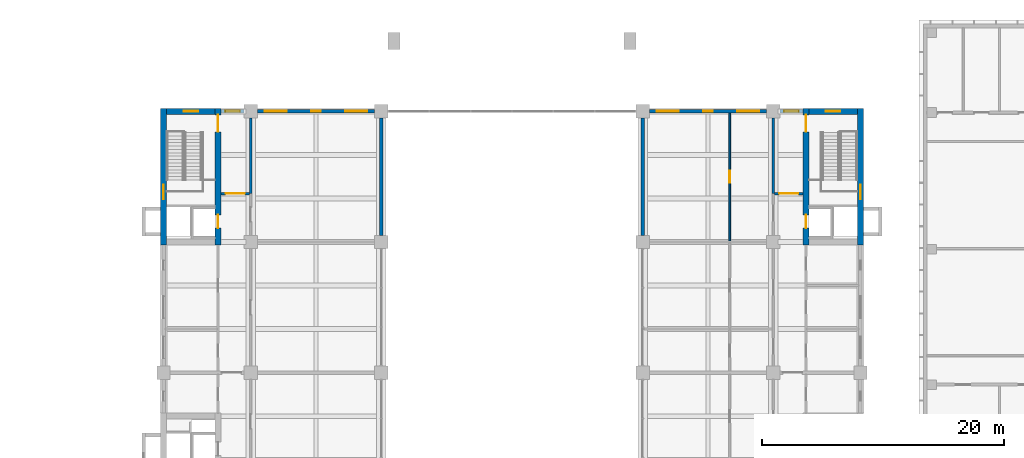
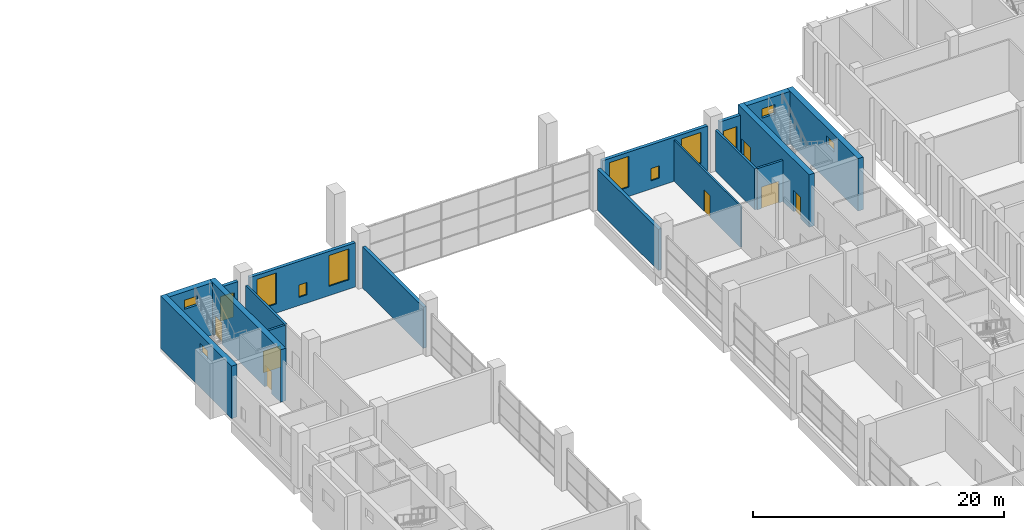
# One storey, part 25 of 33: 17 walls, 12 windows, 7 doors, 19 openings.
"""IFC4 building model written with IfcOpenShell, lengths in metres."""

from ifc_helpers import new_model, si_unit, direction, frame, frame_2d, origin, place, context, subcontext, project, spatial, rectangle, extrude, material, layer, layer_set, type_object, element, fill, save


model = new_model("IFC4")

# Units and contexts
model_context = context("Model", 3, precision=1e-05, world=origin(), true_north=direction((0.0, 1.0)))
body_context = subcontext(model_context, "Body", "Model", "MODEL_VIEW")
ifc_project = project(units=[si_unit("LENGTHUNIT", "METRE"), si_unit("AREAUNIT", "SQUARE_METRE"), si_unit("VOLUMEUNIT", "CUBIC_METRE"), si_unit("PLANEANGLEUNIT", "RADIAN"), si_unit("MASSUNIT", "GRAM", prefix="KILO")], contexts=[model_context])

# Site, building, storey
site_placement = place(None, origin())
site = spatial("IfcSite", under=ifc_project, at=site_placement, CompositionType="ELEMENT")
building_placement = place(site_placement, origin())
building = spatial("IfcBuilding", under=site, at=building_placement, Name="Basin Gate Institute", CompositionType="ELEMENT")
storey_placement = place(building_placement, frame((0.0, 0.0, 6.0)))
storey = spatial("IfcBuildingStorey", under=building, at=storey_placement, Name="L01", CompositionType="ELEMENT", Elevation=6.0)

# Walls
ifc_material_1 = material(Name="Fire-resisting board wall assembly")
ifc_layer_1 = layer(ifc_material_1, 0.300048828125)
ifc_layer_set_1 = layer_set([ifc_layer_1], Name="Atrium enclosure wall EW4")
wall_type_1 = type_object("IfcWallType", Name="Atrium enclosure wall EW4", PredefinedType="STANDARD", material=ifc_layer_set_1)
for number, where, z_axis, x_axis, name in (
    (1, (79.199951171875, 89.64990234375, 0.0), (0.0, 0.0, 1.0), (0.0, 1.0, 0.0), "Atrium enclosure wall W wing bay 6 L01"),
    (2, (100.800048828125, 89.64990234375, 0.0), (0.0, 0.0, 1.0), (0.0, 1.0, 0.0), "Atrium enclosure wall E wing bay 6 L01"),
):
    element("IfcWall", number, at=place(storey_placement, frame(where, z_axis=z_axis, x_axis=x_axis)), inside=storey, type_object=wall_type_1, material=ifc_layer_set_1, Name=name, PredefinedType="STANDARD", context=body_context, shape_type="SweptSolid", body=[
        extrude(rectangle(XDim=9.7001953125, YDim=0.300048828125, at=frame_2d((4.85009765625, 0.0))), origin(), (0.0, 0.0, 1.0), 4.0),
    ])

# Wall, opening, door
ifc_material_2 = material(Name="Fire-rated masonry", Category="masonry")
ifc_layer_2 = layer(ifc_material_2, 0.199951171875)
ifc_layer_set_2 = layer_set([ifc_layer_2], Name="Enclosure wall PW2 200 EI 60")
wall_type_2 = type_object("IfcWallType", Name="Enclosure wall PW2 200 EI 60", PredefinedType="PARTITIONING", material=ifc_layer_set_2)
wall_1_placement = place(storey_placement, frame((65.949951171875, 93.10009765625, 0.0), z_axis=(0.0, 0.0, 1.0), x_axis=(1.0, 0.0, 0.0)))
wall_1 = element("IfcWall", 3, at=wall_1_placement, inside=storey, type_object=wall_type_2, material=ifc_layer_set_2, Name="Smoke lobby enclosure wall PW2 L01", PredefinedType="PARTITIONING", context=body_context, shape_type="SweptSolid", body=[
    extrude(rectangle(XDim=2.35009765625, YDim=0.199951171875, at=frame_2d((1.175048828125, 0.0))), origin(), (0.0, 0.0, 1.0), 4.0),
])
opening_1_placement = place(wall_1_placement, frame((0.375, 0.0, 0.0)))
opening_1 = element("IfcOpeningElement", 4, at=opening_1_placement, cuts=wall_1, Name="Opening DR089", PredefinedType="OPENING", context=body_context, shape_type="SweptSolid", body=[
    extrude(rectangle(XDim=1.60009765625, YDim=2.10009765625, at=frame_2d((0.800048828125, 1.050048828125))), frame((0.0, 0.10986328125, 0.0), z_axis=(0.0, -1.0, 0.0), x_axis=(1.0, 0.0, 0.0)), (0.0, 0.0, 1.0), 0.219970703125),
])
ifc_material_3 = material(Name="Steel fire door", Category="steel")
door_type_1 = type_object("IfcDoorType", Name="FD60 Smoke lobby door pair D8", OperationType="DOUBLE_DOOR_SINGLE_SWING", PredefinedType="DOOR", material=ifc_material_3)
door_1_placement = place(opening_1_placement, origin())
door_1 = element("IfcDoor", 5, at=door_1_placement, inside=storey, type_object=door_type_1, material=ifc_material_3, Name="Smoke lobby door SS3 L01", OperationType="DOUBLE_DOOR_SINGLE_SWING", OverallHeight=2.10009765625, OverallWidth=1.60009765625, PredefinedType="DOOR", context=body_context, shape_type="SweptSolid", body=[
    extrude(rectangle(XDim=1.60009765625, YDim=2.10009765625, at=frame_2d((0.800048828125, 1.050048828125))), frame((0.0, 0.02490234375, 0.0), z_axis=(0.0, -1.0, 0.0), x_axis=(1.0, 0.0, 0.0)), (0.0, 0.0, 1.0), 0.050048828125),
])
fill(opening_1, door_1)

# Wall
wall_2_placement = place(storey_placement, frame((68.39990234375, 93.10009765625, 0.0), z_axis=(0.0, 0.0, 1.0), x_axis=(0.0, 1.0, 0.0)))
element("IfcWall", 6, at=wall_2_placement, inside=storey, type_object=wall_type_2, material=ifc_layer_set_2, Name="Smoke lobby enclosure wall PW2 L01", PredefinedType="PARTITIONING", context=body_context, shape_type="SweptSolid", body=[
    extrude(rectangle(XDim=6.25, YDim=0.199951171875, at=frame_2d((3.125, 0.0))), origin(), (0.0, 0.0, 1.0), 4.0),
])

# Wall, opening, door
wall_3_placement = place(storey_placement, frame((114.050048828125, 93.10009765625, 0.0), z_axis=(0.0, 0.0, 1.0), x_axis=(-1.0, 0.0, 0.0)))
wall_3 = element("IfcWall", 7, at=wall_3_placement, inside=storey, type_object=wall_type_2, material=ifc_layer_set_2, Name="Smoke lobby enclosure wall PW2 L01", PredefinedType="PARTITIONING", context=body_context, shape_type="SweptSolid", body=[
    extrude(rectangle(XDim=2.35009765625, YDim=0.199951171875, at=frame_2d((1.175048828125, 0.0))), origin(), (0.0, 0.0, 1.0), 4.0),
])
opening_2_placement = place(wall_3_placement, frame((0.375, 0.0, 0.0)))
opening_2 = element("IfcOpeningElement", 8, at=opening_2_placement, cuts=wall_3, Name="Opening DR070", PredefinedType="OPENING", context=body_context, shape_type="SweptSolid", body=[
    extrude(rectangle(XDim=1.60009765625, YDim=2.10009765625, at=frame_2d((0.800048828125, 1.050048828125))), frame((0.0, 0.10986328125, 0.0), z_axis=(0.0, -1.0, 0.0), x_axis=(1.0, 0.0, 0.0)), (0.0, 0.0, 1.0), 0.219970703125),
])
door_2_placement = place(opening_2_placement, frame((1.60009765625, 0.0, 0.0), z_axis=(0.0, 0.0, 1.0), x_axis=(-1.0, 0.0, 0.0)))
door_2 = element("IfcDoor", 9, at=door_2_placement, inside=storey, type_object=door_type_1, material=ifc_material_3, Name="Smoke lobby door SS6 L01", OperationType="DOUBLE_DOOR_SINGLE_SWING", OverallHeight=2.10009765625, OverallWidth=1.60009765625, PredefinedType="DOOR", context=body_context, shape_type="SweptSolid", body=[
    extrude(rectangle(XDim=1.60009765625, YDim=2.10009765625, at=frame_2d((0.800048828125, 1.050048828125))), frame((0.0, 0.02490234375, 0.0), z_axis=(0.0, -1.0, 0.0), x_axis=(1.0, 0.0, 0.0)), (0.0, 0.0, 1.0), 0.050048828125),
])
fill(opening_2, door_2)

# Wall
wall_4_placement = place(storey_placement, frame((111.60009765625, 93.10009765625, 0.0), z_axis=(0.0, 0.0, 1.0), x_axis=(0.0, 1.0, 0.0)))
element("IfcWall", 10, at=wall_4_placement, inside=storey, type_object=wall_type_2, material=ifc_layer_set_2, Name="Smoke lobby enclosure wall PW2 L01", PredefinedType="PARTITIONING", context=body_context, shape_type="SweptSolid", body=[
    extrude(rectangle(XDim=6.25, YDim=0.199951171875, at=frame_2d((3.125, 0.0))), origin(), (0.0, 0.0, 1.0), 4.0),
])

# Wall, opening, window
ifc_material_4 = material(Name="Aluminium-faced insulated panel wall", Category="aluminium")
ifc_layer_3 = layer(ifc_material_4, 0.300048828125)
ifc_layer_set_3 = layer_set([ifc_layer_3], Name="External wall EW1 EI 120")
wall_type_3 = type_object("IfcWallType", Name="External wall EW1 EI 120", PredefinedType="STANDARD", material=ifc_layer_set_3)
wall_5_placement = place(storey_placement, frame((65.949951171875, 99.89990234375, 0.0), z_axis=(0.0, 0.0, 1.0), x_axis=(1.0, 0.0, 0.0)))
wall_5 = element("IfcWall", 11, at=wall_5_placement, inside=storey, type_object=wall_type_3, material=ifc_layer_set_3, Name="External end wall W wing north L01 1", PredefinedType="STANDARD", context=body_context, shape_type="SweptSolid", body=[
    extrude(rectangle(XDim=1.900146484375, YDim=0.300048828125, at=frame_2d((0.9501953125, 0.0))), origin(), (0.0, 0.0, 1.0), 4.300048828125),
])
opening_3_placement = place(wall_5_placement, frame((0.35009765625, 0.0, 0.89990234375)))
opening_3 = element("IfcOpeningElement", 12, at=opening_3_placement, cuts=wall_5, Name="Opening WN4", PredefinedType="OPENING", context=body_context, shape_type="SweptSolid", body=[
    extrude(rectangle(XDim=1.199951171875, YDim=2.39990234375, at=frame_2d((0.60009765625, 1.199951171875))), frame((0.0, 0.16015625, 0.0), z_axis=(0.0, -1.0, 0.0), x_axis=(1.0, 0.0, 0.0)), (0.0, 0.0, 1.0), 0.320068359375),
])
ifc_material_5 = material(Name="Aluminium-framed double glazing", Category="aluminium")
window_type_1 = type_object("IfcWindowType", Name="Corridor end window WN4", PartitioningType="SINGLE_PANEL", PredefinedType="WINDOW", material=ifc_material_5)
window_1_placement = place(opening_3_placement, origin())
window_1 = element("IfcWindow", 13, at=window_1_placement, inside=storey, type_object=window_type_1, material=ifc_material_5, Name="Corridor end window W wing N L01", OverallHeight=2.39990234375, OverallWidth=1.199951171875, PartitioningType="SINGLE_PANEL", PredefinedType="WINDOW", context=body_context, shape_type="SweptSolid", body=[
    extrude(rectangle(XDim=1.199951171875, YDim=2.39990234375, at=frame_2d((0.60009765625, 1.199951171875))), frame((0.0, 0.030029296875, 0.0), z_axis=(0.0, -1.0, 0.0), x_axis=(1.0, 0.0, 0.0)), (0.0, 0.0, 1.0), 0.06005859375),
])
fill(opening_3, window_1)

# Wall, openings, windows
wall_6_placement = place(storey_placement, frame((68.949951171875, 99.89990234375, 0.0), z_axis=(0.0, 0.0, 1.0), x_axis=(1.0, 0.0, 0.0)))
wall_6 = element("IfcWall", 14, at=wall_6_placement, inside=storey, type_object=wall_type_3, material=ifc_layer_set_3, Name="External end wall W wing north L01 2", PredefinedType="STANDARD", context=body_context, shape_type="SweptSolid", body=[
    extrude(rectangle(XDim=9.699951171875, YDim=0.300048828125, at=frame_2d((4.85009765625, 0.0))), origin(), (0.0, 0.0, 1.0), 4.300048828125),
])
opening_4_placement = place(wall_6_placement, frame((0.625, 0.0, 0.89990234375)))
opening_4 = element("IfcOpeningElement", 15, at=opening_4_placement, cuts=wall_6, Name="Opening WN2", PredefinedType="OPENING", context=body_context, shape_type="SweptSolid", body=[
    extrude(rectangle(XDim=1.800048828125, YDim=3.0, at=frame_2d((0.89990234375, 1.5))), frame((0.0, 0.16015625, 0.0), z_axis=(0.0, -1.0, 0.0), x_axis=(1.0, 0.0, 0.0)), (0.0, 0.0, 1.0), 0.320068359375),
])
opening_5_placement = place(wall_6_placement, frame((4.47509765625, 0.0, 0.800048828125)))
opening_5 = element("IfcOpeningElement", 16, at=opening_5_placement, cuts=wall_6, Name="Opening WN3", PredefinedType="OPENING", context=body_context, shape_type="SweptSolid", body=[
    extrude(rectangle(XDim=0.75, YDim=1.199951171875, at=frame_2d((0.375, 0.60009765625))), frame((0.0, 0.16015625, 0.0), z_axis=(0.0, -1.0, 0.0), x_axis=(1.0, 0.0, 0.0)), (0.0, 0.0, 1.0), 0.320068359375),
])
opening_6_placement = place(wall_6_placement, frame((7.27490234375, 0.0, 0.89990234375)))
opening_6 = element("IfcOpeningElement", 17, at=opening_6_placement, cuts=wall_6, Name="Opening WN2", PredefinedType="OPENING", context=body_context, shape_type="SweptSolid", body=[
    extrude(rectangle(XDim=1.800048828125, YDim=3.0, at=frame_2d((0.89990234375, 1.5))), frame((0.0, 0.16015625, 0.0), z_axis=(0.0, -1.0, 0.0), x_axis=(1.0, 0.0, 0.0)), (0.0, 0.0, 1.0), 0.320068359375),
])
ifc_material_6 = material(Name="Aluminium-framed double glazing", Category="aluminium")
window_type_2 = type_object("IfcWindowType", Name="Emergency entry panel WN3", PartitioningType="SINGLE_PANEL", PredefinedType="WINDOW", material=ifc_material_6)
window_2_placement = place(opening_5_placement, origin())
window_2 = element("IfcWindow", 18, at=window_2_placement, inside=storey, type_object=window_type_2, material=ifc_material_6, Name="Emergency entry panel W wing end N L01 bay 2", OverallHeight=1.199951171875, OverallWidth=0.75, PartitioningType="SINGLE_PANEL", PredefinedType="WINDOW", context=body_context, shape_type="SweptSolid", body=[
    extrude(rectangle(XDim=0.75, YDim=1.199951171875, at=frame_2d((0.375, 0.60009765625))), frame((0.0, 0.030029296875, 0.0), z_axis=(0.0, -1.0, 0.0), x_axis=(1.0, 0.0, 0.0)), (0.0, 0.0, 1.0), 0.06005859375),
])
fill(opening_5, window_2)
ifc_material_7 = material(Name="Aluminium-framed double glazing", Category="aluminium")
window_type_3 = type_object("IfcWindowType", Name="Podium window WN2", PartitioningType="SINGLE_PANEL", PredefinedType="WINDOW", material=ifc_material_7)
window_3_placement = place(opening_4_placement, origin())
window_3 = element("IfcWindow", 19, at=window_3_placement, inside=storey, type_object=window_type_3, material=ifc_material_7, Name="Podium window W wing end N L01 bay 1", OverallHeight=3.0, OverallWidth=1.800048828125, PartitioningType="SINGLE_PANEL", PredefinedType="WINDOW", context=body_context, shape_type="SweptSolid", body=[
    extrude(rectangle(XDim=1.800048828125, YDim=3.0, at=frame_2d((0.89990234375, 1.5))), frame((0.0, 0.030029296875, 0.0), z_axis=(0.0, -1.0, 0.0), x_axis=(1.0, 0.0, 0.0)), (0.0, 0.0, 1.0), 0.06005859375),
])
fill(opening_4, window_3)
window_4_placement = place(opening_6_placement, origin())
window_4 = element("IfcWindow", 20, at=window_4_placement, inside=storey, type_object=window_type_3, material=ifc_material_7, Name="Podium window W wing end N L01 bay 3", OverallHeight=3.0, OverallWidth=1.800048828125, PartitioningType="SINGLE_PANEL", PredefinedType="WINDOW", context=body_context, shape_type="SweptSolid", body=[
    extrude(rectangle(XDim=1.800048828125, YDim=3.0, at=frame_2d((0.89990234375, 1.5))), frame((0.0, 0.030029296875, 0.0), z_axis=(0.0, -1.0, 0.0), x_axis=(1.0, 0.0, 0.0)), (0.0, 0.0, 1.0), 0.06005859375),
])
fill(opening_6, window_4)

# Wall, opening, window
wall_7_placement = place(storey_placement, frame((114.050048828125, 99.89990234375, 0.0), z_axis=(0.0, 0.0, 1.0), x_axis=(-1.0, 0.0, 0.0)))
wall_7 = element("IfcWall", 21, at=wall_7_placement, inside=storey, type_object=wall_type_3, material=ifc_layer_set_3, Name="External end wall E wing north L01 1", PredefinedType="STANDARD", context=body_context, shape_type="SweptSolid", body=[
    extrude(rectangle(XDim=1.900146484375, YDim=0.300048828125, at=frame_2d((0.9501953125, 0.0))), origin(), (0.0, 0.0, 1.0), 4.300048828125),
])
opening_7_placement = place(wall_7_placement, frame((0.35009765625, 0.0, 0.89990234375)))
opening_7 = element("IfcOpeningElement", 22, at=opening_7_placement, cuts=wall_7, Name="Opening WN4", PredefinedType="OPENING", context=body_context, shape_type="SweptSolid", body=[
    extrude(rectangle(XDim=1.199951171875, YDim=2.39990234375, at=frame_2d((0.60009765625, 1.199951171875))), frame((0.0, 0.16015625, 0.0), z_axis=(0.0, -1.0, 0.0), x_axis=(1.0, 0.0, 0.0)), (0.0, 0.0, 1.0), 0.320068359375),
])
window_5_placement = place(opening_7_placement, origin())
window_5 = element("IfcWindow", 23, at=window_5_placement, inside=storey, type_object=window_type_1, material=ifc_material_5, Name="Corridor end window E wing N L01", OverallHeight=2.39990234375, OverallWidth=1.199951171875, PartitioningType="SINGLE_PANEL", PredefinedType="WINDOW", context=body_context, shape_type="SweptSolid", body=[
    extrude(rectangle(XDim=1.199951171875, YDim=2.39990234375, at=frame_2d((0.60009765625, 1.199951171875))), frame((0.0, 0.030029296875, 0.0), z_axis=(0.0, -1.0, 0.0), x_axis=(1.0, 0.0, 0.0)), (0.0, 0.0, 1.0), 0.06005859375),
])
fill(opening_7, window_5)

# Wall, openings, windows
wall_8_placement = place(storey_placement, frame((111.050048828125, 99.89990234375, 0.0), z_axis=(0.0, 0.0, 1.0), x_axis=(-1.0, 0.0, 0.0)))
wall_8 = element("IfcWall", 24, at=wall_8_placement, inside=storey, type_object=wall_type_3, material=ifc_layer_set_3, Name="External end wall E wing north L01 2", PredefinedType="STANDARD", context=body_context, shape_type="SweptSolid", body=[
    extrude(rectangle(XDim=9.699951171875, YDim=0.300048828125, at=frame_2d((4.85009765625, 0.0))), origin(), (0.0, 0.0, 1.0), 4.300048828125),
])
opening_8_placement = place(wall_8_placement, frame((0.625, 0.0, 0.89990234375)))
opening_8 = element("IfcOpeningElement", 25, at=opening_8_placement, cuts=wall_8, Name="Opening WN2", PredefinedType="OPENING", context=body_context, shape_type="SweptSolid", body=[
    extrude(rectangle(XDim=1.800048828125, YDim=3.0, at=frame_2d((0.89990234375, 1.5))), frame((0.0, 0.16015625, 0.0), z_axis=(0.0, -1.0, 0.0), x_axis=(1.0, 0.0, 0.0)), (0.0, 0.0, 1.0), 0.320068359375),
])
opening_9_placement = place(wall_8_placement, frame((4.47509765625, 0.0, 0.800048828125)))
opening_9 = element("IfcOpeningElement", 26, at=opening_9_placement, cuts=wall_8, Name="Opening WN3", PredefinedType="OPENING", context=body_context, shape_type="SweptSolid", body=[
    extrude(rectangle(XDim=0.75, YDim=1.199951171875, at=frame_2d((0.375, 0.60009765625))), frame((0.0, 0.16015625, 0.0), z_axis=(0.0, -1.0, 0.0), x_axis=(1.0, 0.0, 0.0)), (0.0, 0.0, 1.0), 0.320068359375),
])
opening_10_placement = place(wall_8_placement, frame((7.27490234375, 0.0, 0.89990234375)))
opening_10 = element("IfcOpeningElement", 27, at=opening_10_placement, cuts=wall_8, Name="Opening WN2", PredefinedType="OPENING", context=body_context, shape_type="SweptSolid", body=[
    extrude(rectangle(XDim=1.800048828125, YDim=3.0, at=frame_2d((0.89990234375, 1.5))), frame((0.0, 0.16015625, 0.0), z_axis=(0.0, -1.0, 0.0), x_axis=(1.0, 0.0, 0.0)), (0.0, 0.0, 1.0), 0.320068359375),
])
window_6_placement = place(opening_9_placement, origin())
window_6 = element("IfcWindow", 28, at=window_6_placement, inside=storey, type_object=window_type_2, material=ifc_material_6, Name="Emergency entry panel E wing end N L01 bay 2", OverallHeight=1.199951171875, OverallWidth=0.75, PartitioningType="SINGLE_PANEL", PredefinedType="WINDOW", context=body_context, shape_type="SweptSolid", body=[
    extrude(rectangle(XDim=0.75, YDim=1.199951171875, at=frame_2d((0.375, 0.60009765625))), frame((0.0, 0.030029296875, 0.0), z_axis=(0.0, -1.0, 0.0), x_axis=(1.0, 0.0, 0.0)), (0.0, 0.0, 1.0), 0.06005859375),
])
fill(opening_9, window_6)
window_7_placement = place(opening_8_placement, origin())
window_7 = element("IfcWindow", 29, at=window_7_placement, inside=storey, type_object=window_type_3, material=ifc_material_7, Name="Podium window E wing end N L01 bay 1", OverallHeight=3.0, OverallWidth=1.800048828125, PartitioningType="SINGLE_PANEL", PredefinedType="WINDOW", context=body_context, shape_type="SweptSolid", body=[
    extrude(rectangle(XDim=1.800048828125, YDim=3.0, at=frame_2d((0.89990234375, 1.5))), frame((0.0, 0.030029296875, 0.0), z_axis=(0.0, -1.0, 0.0), x_axis=(1.0, 0.0, 0.0)), (0.0, 0.0, 1.0), 0.06005859375),
])
fill(opening_8, window_7)
window_8_placement = place(opening_10_placement, origin())
window_8 = element("IfcWindow", 30, at=window_8_placement, inside=storey, type_object=window_type_3, material=ifc_material_7, Name="Podium window E wing end N L01 bay 3", OverallHeight=3.0, OverallWidth=1.800048828125, PartitioningType="SINGLE_PANEL", PredefinedType="WINDOW", context=body_context, shape_type="SweptSolid", body=[
    extrude(rectangle(XDim=1.800048828125, YDim=3.0, at=frame_2d((0.89990234375, 1.5))), frame((0.0, 0.030029296875, 0.0), z_axis=(0.0, -1.0, 0.0), x_axis=(1.0, 0.0, 0.0)), (0.0, 0.0, 1.0), 0.06005859375),
])
fill(opening_10, window_8)

# Wall, opening, door
ifc_material_8 = material(Name="Gypsum board on steel stud", Category="steel")
ifc_layer_4 = layer(ifc_material_8, 0.14990234375)
ifc_layer_set_4 = layer_set([ifc_layer_4], Name="Gypsum board on steel stud")
wall_type_4 = type_object("IfcWallType", Name="Partition PW1 150 EI 60", PredefinedType="PARTITIONING", material=ifc_layer_set_4)
wall_9_placement = place(storey_placement, frame((108.0, 89.175048828125, 0.0), z_axis=(0.0, 0.0, 1.0), x_axis=(0.0, 1.0, 0.0)))
wall_9 = element("IfcWall", 31, at=wall_9_placement, inside=storey, type_object=wall_type_4, material=ifc_layer_set_4, Name="Clean room wall PW1 L01", PredefinedType="PARTITIONING", context=body_context, shape_type="SweptSolid", body=[
    extrude(rectangle(XDim=10.574951171875, YDim=0.14990234375, at=frame_2d((5.28759765625, 0.0))), origin(), (0.0, 0.0, 1.0), 4.0),
])
opening_11_placement = place(wall_9_placement, frame((4.824951171875, 0.0, 0.0)))
opening_11 = element("IfcOpeningElement", 32, at=opening_11_placement, cuts=wall_9, Name="Opening DR051", PredefinedType="OPENING", context=body_context, shape_type="SweptSolid", body=[
    extrude(rectangle(XDim=1.0, YDim=2.10009765625, at=frame_2d((0.5, 1.050048828125))), frame((0.0, 0.0849609375, 0.0), z_axis=(0.0, -1.0, 0.0), x_axis=(1.0, 0.0, 0.0)), (0.0, 0.0, 1.0), 0.169921875),
])
ifc_material_9 = material(Name="Steel fire door", Category="steel")
door_type_2 = type_object("IfcDoorType", Name="FD30 Airlock door D5", OperationType="NOTDEFINED", PredefinedType="DOOR", material=ifc_material_9)
door_3_placement = place(opening_11_placement, origin())
door_3 = element("IfcDoor", 33, at=door_3_placement, inside=storey, type_object=door_type_2, material=ifc_material_9, Name="Clean room entry door Clean Room ISO 7 0178 L01", OperationType="SINGLE_SWING_LEFT", OverallHeight=2.10009765625, OverallWidth=1.0, PredefinedType="DOOR", context=body_context, shape_type="SweptSolid", body=[
    extrude(rectangle(XDim=1.0, YDim=2.10009765625, at=frame_2d((0.5, 1.050048828125))), frame((0.0, 0.02490234375, 0.0), z_axis=(0.0, -1.0, 0.0), x_axis=(1.0, 0.0, 0.0)), (0.0, 0.0, 1.0), 0.050048828125),
])
fill(opening_11, door_3)

# Wall, opening, window
ifc_material_10 = material(Name="Concrete 60 MPa", Category="concrete")
ifc_layer_5 = layer(ifc_material_10, 0.5)
ifc_layer_set_5 = layer_set([ifc_layer_5], Name="Concrete 60 MPa")
wall_type_5 = type_object("IfcWallType", Name="Wall SW1 R180", PredefinedType="SHEAR", material=ifc_layer_set_5)
wall_10_placement = place(storey_placement, frame((61.199951171875, 88.85009765625, 0.0), z_axis=(0.0, 0.0, 1.0), x_axis=(0.0, 1.0, 0.0)))
wall_10 = element("IfcWall", 34, at=wall_10_placement, inside=storey, type_object=wall_type_5, material=ifc_layer_set_5, Name="WALL/L01/WN/L", PredefinedType="SHEAR", context=body_context, shape_type="SweptSolid", body=[
    extrude(rectangle(XDim=11.2998046875, YDim=0.5, at=frame_2d((5.64990234375, 0.0))), origin(), (0.0, 0.0, 1.0), 5.10009765625),
])
opening_12_placement = place(wall_10_placement, frame((3.800048828125, 0.0, 3.39990234375)))
opening_12 = element("IfcOpeningElement", 35, at=opening_12_placement, cuts=wall_10, Name="Opening WT1", PredefinedType="OPENING", context=body_context, shape_type="SweptSolid", body=[
    extrude(rectangle(XDim=1.199951171875, YDim=0.89990234375, at=frame_2d((0.60009765625, 0.449951171875))), frame((0.0, 0.260009765625, 0.0), z_axis=(0.0, -1.0, 0.0), x_axis=(1.0, 0.0, 0.0)), (0.0, 0.0, 1.0), 0.52001953125),
])
ifc_material_11 = material(Name="Fire-resistant glazing in steel-free frame", Category="steel")
window_type_4 = type_object("IfcWindowType", Name="Rated stair window EI 180 WT1", PartitioningType="SINGLE_PANEL", PredefinedType="WINDOW", material=ifc_material_11)
window_9_placement = place(opening_12_placement, origin())
window_9 = element("IfcWindow", 36, at=window_9_placement, inside=storey, type_object=window_type_4, material=ifc_material_11, Name="Rated stair window EI 180 WN landing L01", OverallHeight=0.89990234375, OverallWidth=1.199951171875, PartitioningType="SINGLE_PANEL", PredefinedType="WINDOW", context=body_context, shape_type="SweptSolid", body=[
    extrude(rectangle(XDim=1.199951171875, YDim=0.89990234375, at=frame_2d((0.60009765625, 0.449951171875))), frame((0.0, 0.030029296875, 0.0), z_axis=(0.0, -1.0, 0.0), x_axis=(1.0, 0.0, 0.0)), (0.0, 0.0, 1.0), 0.06005859375),
])
fill(opening_12, window_9)

# Wall, openings, doors
wall_11_placement = place(storey_placement, frame((65.699951171875, 88.85009765625, 0.0), z_axis=(0.0, 0.0, 1.0), x_axis=(0.0, 1.0, 0.0)))
wall_11 = element("IfcWall", 37, at=wall_11_placement, inside=storey, type_object=wall_type_5, material=ifc_layer_set_5, Name="WALL/L01/WN/C", PredefinedType="SHEAR", context=body_context, shape_type="SweptSolid", body=[
    extrude(rectangle(XDim=11.2998046875, YDim=0.5, at=frame_2d((5.64990234375, 0.0))), origin(), (0.0, 0.0, 1.0), 5.10009765625),
])
opening_13_placement = place(wall_11_placement, frame((9.35009765625, 0.0, 0.0)))
opening_13 = element("IfcOpeningElement", 38, at=opening_13_placement, cuts=wall_11, Name="Opening DS009", PredefinedType="OPENING", context=body_context, shape_type="SweptSolid", body=[
    extrude(rectangle(XDim=1.39990234375, YDim=2.10009765625, at=frame_2d((0.699951171875, 1.050048828125))), frame((0.0, 0.260009765625, 0.0), z_axis=(0.0, -1.0, 0.0), x_axis=(1.0, 0.0, 0.0)), (0.0, 0.0, 1.0), 0.52001953125),
])
opening_14_placement = place(wall_11_placement, frame((1.39990234375, 0.0, 0.0)))
opening_14 = element("IfcOpeningElement", 39, at=opening_14_placement, cuts=wall_11, Name="Opening LD056", PredefinedType="OPENING", context=body_context, shape_type="SweptSolid", body=[
    extrude(rectangle(XDim=1.10009765625, YDim=2.10009765625, at=frame_2d((0.550048828125, 1.050048828125))), frame((0.0, 0.260009765625, 0.0), z_axis=(0.0, -1.0, 0.0), x_axis=(1.0, 0.0, 0.0)), (0.0, 0.0, 1.0), 0.52001953125),
])
ifc_material_12 = material(Name="Steel fire door", Category="steel")
door_type_3 = type_object("IfcDoorType", Name="FD30 Stair enclosure door DS", OperationType="DOUBLE_DOOR_SINGLE_SWING", PredefinedType="DOOR", material=ifc_material_12)
door_4_placement = place(opening_13_placement, origin())
door_4 = element("IfcDoor", 40, at=door_4_placement, inside=storey, type_object=door_type_3, material=ifc_material_12, Name="Stair enclosure door ST-WN L01", OperationType="DOUBLE_DOOR_SINGLE_SWING", OverallHeight=2.10009765625, OverallWidth=1.39990234375, PredefinedType="DOOR", context=body_context, shape_type="SweptSolid", body=[
    extrude(rectangle(XDim=1.39990234375, YDim=2.10009765625, at=frame_2d((0.699951171875, 1.050048828125))), frame((0.0, 0.02490234375, 0.0), z_axis=(0.0, -1.0, 0.0), x_axis=(1.0, 0.0, 0.0)), (0.0, 0.0, 1.0), 0.050048828125),
])
fill(opening_13, door_4)
ifc_material_13 = material(Name="Stainless steel", Category="steel")
door_type_4 = type_object("IfcDoorType", Name="FD60 Lift landing door LD", OperationType="SLIDING_TO_LEFT", PredefinedType="DOOR", material=ifc_material_13)
door_5_placement = place(opening_14_placement, origin())
door_5 = element("IfcDoor", 41, at=door_5_placement, inside=storey, type_object=door_type_4, material=ifc_material_13, Name="Lift landing door LP3 L01", OperationType="SLIDING_TO_LEFT", OverallHeight=2.10009765625, OverallWidth=1.10009765625, PredefinedType="DOOR", context=body_context, shape_type="SweptSolid", body=[
    extrude(rectangle(XDim=1.10009765625, YDim=2.10009765625, at=frame_2d((0.550048828125, 1.050048828125))), frame((0.0, 0.02490234375, 0.0), z_axis=(0.0, -1.0, 0.0), x_axis=(1.0, 0.0, 0.0)), (0.0, 0.0, 1.0), 0.050048828125),
])
fill(opening_14, door_5)

# Wall, opening, window
wall_12_placement = place(storey_placement, frame((61.449951171875, 99.89990234375, 0.0), z_axis=(0.0, 0.0, 1.0), x_axis=(1.0, 0.0, 0.0)))
wall_12 = element("IfcWall", 42, at=wall_12_placement, inside=storey, type_object=wall_type_5, material=ifc_layer_set_5, Name="WALL/L01/WN/N", PredefinedType="SHEAR", context=body_context, shape_type="SweptSolid", body=[
    extrude(rectangle(XDim=4.0, YDim=0.5, at=frame_2d((2.0, 0.0))), origin(), (0.0, 0.0, 1.0), 5.10009765625),
])
opening_15_placement = place(wall_12_placement, frame((1.39990234375, 0.0, 3.39990234375)))
opening_15 = element("IfcOpeningElement", 43, at=opening_15_placement, cuts=wall_12, Name="Opening WT1", PredefinedType="OPENING", context=body_context, shape_type="SweptSolid", body=[
    extrude(rectangle(XDim=1.199951171875, YDim=0.89990234375, at=frame_2d((0.60009765625, 0.449951171875))), frame((0.0, 0.260009765625, 0.0), z_axis=(0.0, -1.0, 0.0), x_axis=(1.0, 0.0, 0.0)), (0.0, 0.0, 1.0), 0.52001953125),
])
window_10_placement = place(opening_15_placement, origin())
window_10 = element("IfcWindow", 44, at=window_10_placement, inside=storey, type_object=window_type_4, material=ifc_material_11, Name="Rated stair window EI 180 WN end L01", OverallHeight=0.89990234375, OverallWidth=1.199951171875, PartitioningType="SINGLE_PANEL", PredefinedType="WINDOW", context=body_context, shape_type="SweptSolid", body=[
    extrude(rectangle(XDim=1.199951171875, YDim=0.89990234375, at=frame_2d((0.60009765625, 0.449951171875))), frame((0.0, 0.030029296875, 0.0), z_axis=(0.0, -1.0, 0.0), x_axis=(1.0, 0.0, 0.0)), (0.0, 0.0, 1.0), 0.06005859375),
])
fill(opening_15, window_10)

wall_13_placement = place(storey_placement, frame((118.800048828125, 88.85009765625, 0.0), z_axis=(0.0, 0.0, 1.0), x_axis=(0.0, 1.0, 0.0)))
wall_13 = element("IfcWall", 45, at=wall_13_placement, inside=storey, type_object=wall_type_5, material=ifc_layer_set_5, Name="WALL/L01/EN/L", PredefinedType="SHEAR", context=body_context, shape_type="SweptSolid", body=[
    extrude(rectangle(XDim=11.2998046875, YDim=0.5, at=frame_2d((5.64990234375, 0.0))), origin(), (0.0, 0.0, 1.0), 5.10009765625),
])
opening_16_placement = place(wall_13_placement, frame((3.800048828125, 0.0, 3.39990234375)))
opening_16 = element("IfcOpeningElement", 46, at=opening_16_placement, cuts=wall_13, Name="Opening WT1", PredefinedType="OPENING", context=body_context, shape_type="SweptSolid", body=[
    extrude(rectangle(XDim=1.199951171875, YDim=0.89990234375, at=frame_2d((0.60009765625, 0.449951171875))), frame((0.0, 0.260009765625, 0.0), z_axis=(0.0, -1.0, 0.0), x_axis=(1.0, 0.0, 0.0)), (0.0, 0.0, 1.0), 0.52001953125),
])
window_11_placement = place(opening_16_placement, origin())
window_11 = element("IfcWindow", 47, at=window_11_placement, inside=storey, type_object=window_type_4, material=ifc_material_11, Name="Rated stair window EI 180 EN landing L01", OverallHeight=0.89990234375, OverallWidth=1.199951171875, PartitioningType="SINGLE_PANEL", PredefinedType="WINDOW", context=body_context, shape_type="SweptSolid", body=[
    extrude(rectangle(XDim=1.199951171875, YDim=0.89990234375, at=frame_2d((0.60009765625, 0.449951171875))), frame((0.0, 0.030029296875, 0.0), z_axis=(0.0, -1.0, 0.0), x_axis=(1.0, 0.0, 0.0)), (0.0, 0.0, 1.0), 0.06005859375),
])
fill(opening_16, window_11)

# Wall, openings, doors
wall_14_placement = place(storey_placement, frame((114.300048828125, 88.85009765625, 0.0), z_axis=(0.0, 0.0, 1.0), x_axis=(0.0, 1.0, 0.0)))
wall_14 = element("IfcWall", 48, at=wall_14_placement, inside=storey, type_object=wall_type_5, material=ifc_layer_set_5, Name="WALL/L01/EN/C", PredefinedType="SHEAR", context=body_context, shape_type="SweptSolid", body=[
    extrude(rectangle(XDim=11.2998046875, YDim=0.5, at=frame_2d((5.64990234375, 0.0))), origin(), (0.0, 0.0, 1.0), 5.10009765625),
])
opening_17_placement = place(wall_14_placement, frame((9.35009765625, 0.0, 0.0)))
opening_17 = element("IfcOpeningElement", 49, at=opening_17_placement, cuts=wall_14, Name="Opening DS012", PredefinedType="OPENING", context=body_context, shape_type="SweptSolid", body=[
    extrude(rectangle(XDim=1.39990234375, YDim=2.10009765625, at=frame_2d((0.699951171875, 1.050048828125))), frame((0.0, 0.260009765625, 0.0), z_axis=(0.0, -1.0, 0.0), x_axis=(1.0, 0.0, 0.0)), (0.0, 0.0, 1.0), 0.52001953125),
])
opening_18_placement = place(wall_14_placement, frame((1.39990234375, 0.0, 0.0)))
opening_18 = element("IfcOpeningElement", 50, at=opening_18_placement, cuts=wall_14, Name="Opening LD107", PredefinedType="OPENING", context=body_context, shape_type="SweptSolid", body=[
    extrude(rectangle(XDim=1.10009765625, YDim=2.10009765625, at=frame_2d((0.550048828125, 1.050048828125))), frame((0.0, 0.260009765625, 0.0), z_axis=(0.0, -1.0, 0.0), x_axis=(1.0, 0.0, 0.0)), (0.0, 0.0, 1.0), 0.52001953125),
])
door_6_placement = place(opening_17_placement, frame((1.39990234375, 0.0, 0.0), z_axis=(0.0, 0.0, 1.0), x_axis=(-1.0, 0.0, 0.0)))
door_6 = element("IfcDoor", 51, at=door_6_placement, inside=storey, type_object=door_type_3, material=ifc_material_12, Name="Stair enclosure door ST-EN L01", OperationType="DOUBLE_DOOR_SINGLE_SWING", OverallHeight=2.10009765625, OverallWidth=1.39990234375, PredefinedType="DOOR", context=body_context, shape_type="SweptSolid", body=[
    extrude(rectangle(XDim=1.39990234375, YDim=2.10009765625, at=frame_2d((0.699951171875, 1.050048828125))), frame((0.0, 0.02490234375, 0.0), z_axis=(0.0, -1.0, 0.0), x_axis=(1.0, 0.0, 0.0)), (0.0, 0.0, 1.0), 0.050048828125),
])
fill(opening_17, door_6)
door_7_placement = place(opening_18_placement, origin())
door_7 = element("IfcDoor", 52, at=door_7_placement, inside=storey, type_object=door_type_4, material=ifc_material_13, Name="Lift landing door LP6 L01", OperationType="SLIDING_TO_LEFT", OverallHeight=2.10009765625, OverallWidth=1.10009765625, PredefinedType="DOOR", context=body_context, shape_type="SweptSolid", body=[
    extrude(rectangle(XDim=1.10009765625, YDim=2.10009765625, at=frame_2d((0.550048828125, 1.050048828125))), frame((0.0, 0.02490234375, 0.0), z_axis=(0.0, -1.0, 0.0), x_axis=(1.0, 0.0, 0.0)), (0.0, 0.0, 1.0), 0.050048828125),
])
fill(opening_18, door_7)

# Wall, opening, window
wall_15_placement = place(storey_placement, frame((118.550048828125, 99.89990234375, 0.0), z_axis=(0.0, 0.0, 1.0), x_axis=(-1.0, 0.0, 0.0)))
wall_15 = element("IfcWall", 53, at=wall_15_placement, inside=storey, type_object=wall_type_5, material=ifc_layer_set_5, Name="WALL/L01/EN/N", PredefinedType="SHEAR", context=body_context, shape_type="SweptSolid", body=[
    extrude(rectangle(XDim=4.0, YDim=0.5, at=frame_2d((2.0, 0.0))), origin(), (0.0, 0.0, 1.0), 5.10009765625),
])
opening_19_placement = place(wall_15_placement, frame((1.39990234375, 0.0, 3.39990234375)))
opening_19 = element("IfcOpeningElement", 54, at=opening_19_placement, cuts=wall_15, Name="Opening WT1", PredefinedType="OPENING", context=body_context, shape_type="SweptSolid", body=[
    extrude(rectangle(XDim=1.199951171875, YDim=0.89990234375, at=frame_2d((0.60009765625, 0.449951171875))), frame((0.0, 0.260009765625, 0.0), z_axis=(0.0, -1.0, 0.0), x_axis=(1.0, 0.0, 0.0)), (0.0, 0.0, 1.0), 0.52001953125),
])
window_12_placement = place(opening_19_placement, origin())
window_12 = element("IfcWindow", 55, at=window_12_placement, inside=storey, type_object=window_type_4, material=ifc_material_11, Name="Rated stair window EI 180 EN end L01", OverallHeight=0.89990234375, OverallWidth=1.199951171875, PartitioningType="SINGLE_PANEL", PredefinedType="WINDOW", context=body_context, shape_type="SweptSolid", body=[
    extrude(rectangle(XDim=1.199951171875, YDim=0.89990234375, at=frame_2d((0.60009765625, 0.449951171875))), frame((0.0, 0.030029296875, 0.0), z_axis=(0.0, -1.0, 0.0), x_axis=(1.0, 0.0, 0.0)), (0.0, 0.0, 1.0), 0.06005859375),
])
fill(opening_19, window_12)

save(model, "model.ifc")
